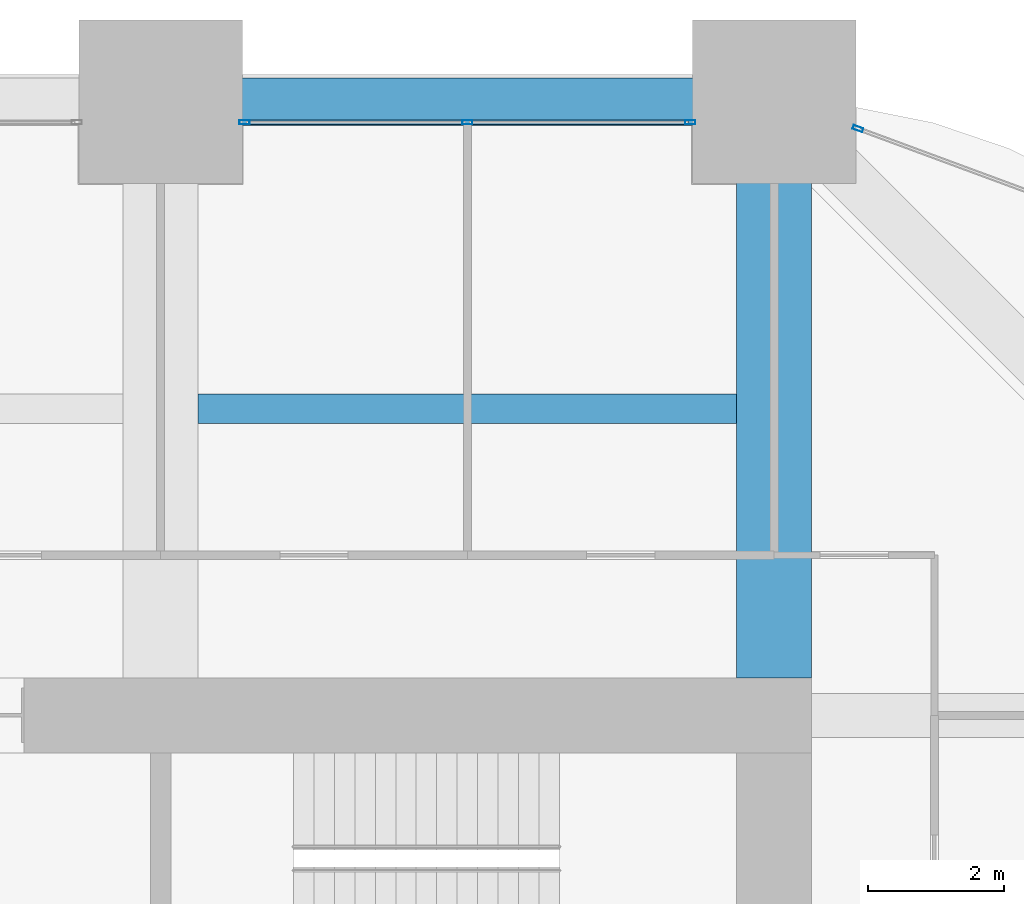
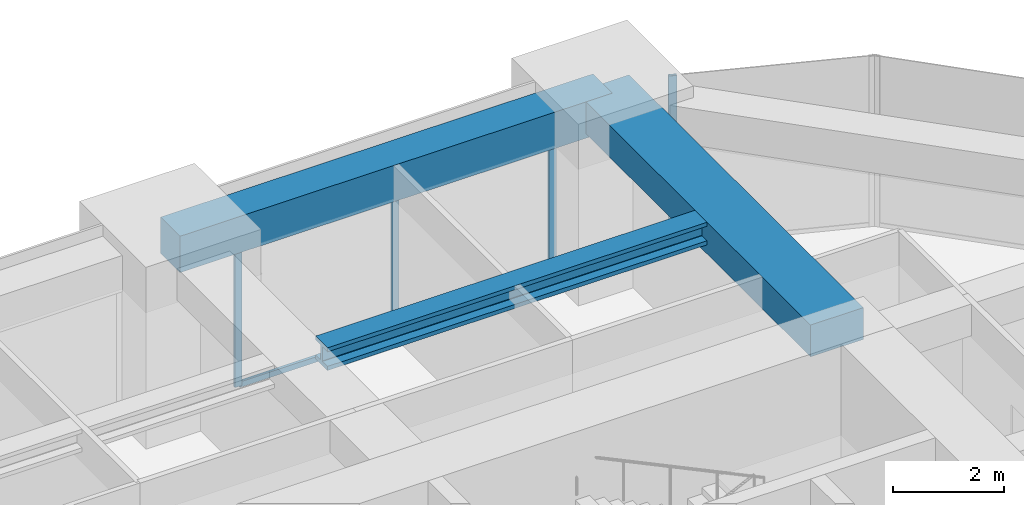
# One storey, part 26 of 33: 5 members, 3 beams, 2 elements without a shape of their own.
"""IFC4 building model written with IfcOpenShell, lengths in metres."""

from ifc_helpers import new_model, si_unit, direction, frame, origin, origin_2d, place, context, subcontext, project, spatial, rectangle, hollow_rectangle, i_section, extrude, material, material_profile, profile_set, type_object, element, aggregate, save


model = new_model("IFC4")

# Units and contexts
model_context = context("Model", 3, precision=1e-05, world=origin(), true_north=direction((0.0, 1.0)))
body_context = subcontext(model_context, "Body", "Model", "MODEL_VIEW")
ifc_project = project(units=[si_unit("LENGTHUNIT", "METRE"), si_unit("AREAUNIT", "SQUARE_METRE"), si_unit("VOLUMEUNIT", "CUBIC_METRE"), si_unit("PLANEANGLEUNIT", "RADIAN"), si_unit("MASSUNIT", "GRAM", prefix="KILO")], contexts=[model_context])

# Site, building, storey
site_placement = place(None, origin())
site = spatial("IfcSite", under=ifc_project, at=site_placement, CompositionType="ELEMENT")
building_placement = place(site_placement, origin())
building = spatial("IfcBuilding", under=site, at=building_placement, Name="Zorevar Civic Tower", CompositionType="ELEMENT")
storey_placement = place(building_placement, frame((0.0, 0.0, 210.199951171875)))
storey = spatial("IfcBuildingStorey", under=building, at=storey_placement, Name="L51", CompositionType="ELEMENT", Elevation=210.199951171875)

# Beam
ifc_material_1 = material(Name="Concrete C50/60", Category="concrete")
ifc_material_profile_1 = material_profile(ifc_material_1, rectangle(XDim=1.10009765625, YDim=0.699951171875, at=origin_2d()), Name="RC 1100x700")
ifc_profile_set_1 = profile_set([ifc_material_profile_1], Name="Concrete C50/60")
beam_type_1 = type_object("IfcBeamType", Name="Beam RC 1100x700", PredefinedType="BEAM", material=ifc_profile_set_1)
beam_1_placement = place(storey_placement, frame((45.0, 36.550048828125, 3.400146484375), z_axis=(0.0, 1.0, 0.0), x_axis=(-1.0, 0.0, 0.0)))
element("IfcBeam", 1, at=beam_1_placement, inside=storey, type_object=beam_type_1, Name="Girder L52", PredefinedType="BEAM", context=body_context, shape_type="SweptSolid", body=[
    extrude(rectangle(XDim=1.10009765625, YDim=0.699951171875, at=origin_2d()), origin(), (0.0, 0.0, 1.0), 8.449951171875),
])

# Curtain wall, members
ifc_material_2 = material(Name="Dark grey solar-control glass in black aluminium frame", Category="aluminium")
curtain_wall_type = type_object("IfcCurtainWallType", Name="Curtain wall CW4 high zone", PredefinedType="NOTDEFINED", material=ifc_material_2)
curtain_wall_1_placement = place(storey_placement, origin())
curtain_wall_1 = element("IfcCurtainWall", 2, at=curtain_wall_1_placement, inside=storey, type_object=curtain_wall_type, Name="CW4 L51", PredefinedType="NOTDEFINED")
ifc_material_3 = material(Name="Aluminium, black anodised", Category="aluminium")
ifc_material_profile_2 = material_profile(ifc_material_3, hollow_rectangle(XDim=0.06005859375, YDim=0.14990234375, WallThickness=0.00390625, at=origin_2d()), Name="AL 150x60x4")
ifc_profile_set_2 = profile_set([ifc_material_profile_2], Name="Aluminium, black anodised")
member_type_1 = type_object("IfcMemberType", Name="CW4 mullion AL 150x60x4", PredefinedType="MULLION", material=ifc_profile_set_2)
member_1_placement = place(storey_placement, frame((37.22998046875, 44.699951171875, 0.0), z_axis=(0.0, 0.0, 1.0), x_axis=(0.0, 1.0, 0.0)))
member_1 = element("IfcMember", 3, at=member_1_placement, type_object=member_type_1, Name="CW4 mullion 1", PredefinedType="MULLION", context=body_context, shape_type="SweptSolid", body=[
    extrude(hollow_rectangle(XDim=0.06005859375, YDim=0.14990234375, WallThickness=0.00390625, at=origin_2d()), origin(), (0.0, 0.0, 1.0), 2.949951171875),
])
member_2_placement = place(storey_placement, frame((40.5, 44.699951171875, 0.06005859375), z_axis=(0.0, 0.0, 1.0), x_axis=(0.0, 1.0, 0.0)))
member_2 = element("IfcMember", 4, at=member_2_placement, type_object=member_type_1, Name="CW4 mullion 2", PredefinedType="MULLION", context=body_context, shape_type="SweptSolid", body=[
    extrude(hollow_rectangle(XDim=0.06005859375, YDim=0.14990234375, WallThickness=0.00390625, at=origin_2d()), origin(), (0.0, 0.0, 1.0), 2.889892578125),
])
member_3_placement = place(storey_placement, frame((43.77001953125, 44.699951171875, 0.0), z_axis=(0.0, 0.0, 1.0), x_axis=(0.0, 1.0, 0.0)))
member_3 = element("IfcMember", 5, at=member_3_placement, type_object=member_type_1, Name="CW4 mullion 3", PredefinedType="MULLION", context=body_context, shape_type="SweptSolid", body=[
    extrude(hollow_rectangle(XDim=0.06005859375, YDim=0.14990234375, WallThickness=0.00390625, at=origin_2d()), origin(), (0.0, 0.0, 1.0), 2.949951171875),
])

# Curtain wall, member
curtain_wall_2_placement = place(storey_placement, origin())
curtain_wall_2 = element("IfcCurtainWall", 6, at=curtain_wall_2_placement, inside=storey, type_object=curtain_wall_type, Name="CW4 L51", PredefinedType="NOTDEFINED")
member_4_placement = place(storey_placement, frame((46.22802734375, 44.6064453125, 0.0), z_axis=(0.0, 0.0, 1.0), x_axis=(-0.346704012033, -0.937974588163, 0.0)))
member_4 = element("IfcMember", 7, at=member_4_placement, type_object=member_type_1, Name="CW4 mullion 2", PredefinedType="MULLION", context=body_context, shape_type="SweptSolid", body=[
    extrude(hollow_rectangle(XDim=0.06005859375, YDim=0.14990234375, WallThickness=0.00390625, at=origin_2d()), origin(), (0.0, 0.0, 1.0), 3.75),
])
aggregate(curtain_wall_2, [member_4])

# Member
ifc_material_4 = material(Name="Aluminium, black anodised", Category="aluminium")
ifc_material_profile_3 = material_profile(ifc_material_4, hollow_rectangle(XDim=0.06005859375, YDim=0.1201171875, WallThickness=0.0029296875, at=origin_2d()), Name="AL 120x60x3")
ifc_profile_set_3 = profile_set([ifc_material_profile_3], Name="Aluminium, black anodised")
member_type_2 = type_object("IfcMemberType", Name="CW4 transom AL 120x60x3", PredefinedType="USERDEFINED", material=ifc_profile_set_3)
member_5_placement = place(storey_placement, frame((37.260009765625, 44.699951171875, 0.030029296875), z_axis=(1.0, 0.0, 0.0), x_axis=(0.0, 1.0, 0.0)))
member_5 = element("IfcMember", 8, at=member_5_placement, type_object=member_type_2, Name="CW4 sill transom", ObjectType="TRANSOM", PredefinedType="USERDEFINED", context=body_context, shape_type="SweptSolid", body=[
    extrude(hollow_rectangle(XDim=0.06005859375, YDim=0.1201171875, WallThickness=0.0029296875, at=origin_2d()), origin(), (0.0, 0.0, 1.0), 6.47998046875),
])

aggregate(curtain_wall_1, [member_1, member_2, member_3, member_5])

# Beams
ifc_material_5 = material(Name="Steel S460M (HISTAR 460)", Category="steel")
ifc_material_profile_4 = material_profile(ifc_material_5, i_section(OverallWidth=0.431884765625, OverallDepth=0.498046875, WebThickness=0.0556640625, FlangeThickness=0.0888671875, FilletRadius=0.014892578125, at=origin_2d()), Name="HD 400x744")
ifc_profile_set_4 = profile_set([ifc_material_profile_4], Name="Steel S460M (HISTAR 460)")
beam_type_2 = type_object("IfcBeamType", Name="Core bay beam HD 400x744", PredefinedType="BEAM", material=ifc_profile_set_4)
beam_2_placement = place(storey_placement, frame((36.550048828125, 40.5, 3.5009765625), z_axis=(1.0, 0.0, 0.0), x_axis=(0.0, 1.0, 0.0)))
element("IfcBeam", 9, at=beam_2_placement, inside=storey, type_object=beam_type_2, Name="Secondary beam L52", PredefinedType="BEAM", context=body_context, shape_type="SweptSolid", body=[
    extrude(i_section(OverallWidth=0.431884765625, OverallDepth=0.498046875, WebThickness=0.0556640625, FlangeThickness=0.0888671875, FilletRadius=0.014892578125, at=origin_2d()), origin(), (0.0, 0.0, 1.0), 7.89990234375),
])
ifc_material_6 = material(Name="Concrete C50/60", Category="concrete")
ifc_material_profile_5 = material_profile(ifc_material_6, rectangle(XDim=0.699951171875, YDim=0.800048828125, at=origin_2d()), Name="RC 700x800")
ifc_profile_set_5 = profile_set([ifc_material_profile_5], Name="Concrete C50/60")
beam_type_3 = type_object("IfcBeamType", Name="Edge beam RC 700x800", PredefinedType="SPANDREL", material=ifc_profile_set_5)
beam_3_placement = place(storey_placement, frame((36.0, 45.0, 3.35009765625), z_axis=(1.0, 0.0, 0.0), x_axis=(0.0, 1.0, 0.0)))
element("IfcBeam", 10, at=beam_3_placement, inside=storey, type_object=beam_type_3, Name="Edge beam L52", PredefinedType="SPANDREL", context=body_context, shape_type="SweptSolid", body=[
    extrude(rectangle(XDim=0.699951171875, YDim=0.800048828125, at=origin_2d()), origin(), (0.0, 0.0, 1.0), 9.0),
])

save(model, "model.ifc")
